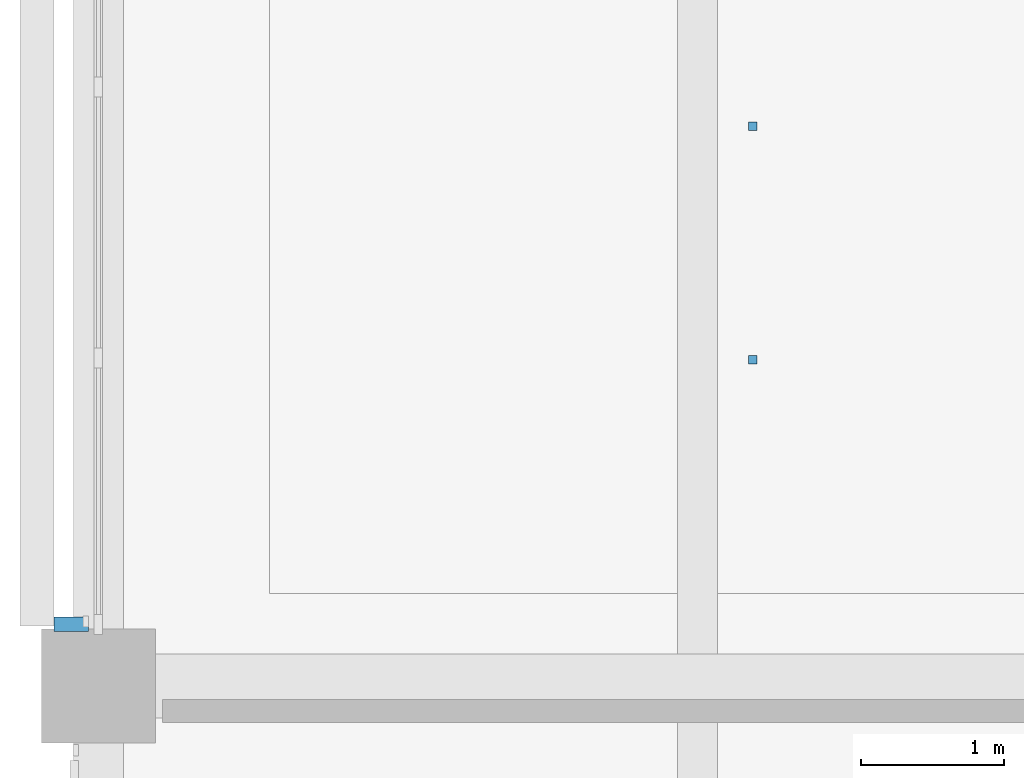
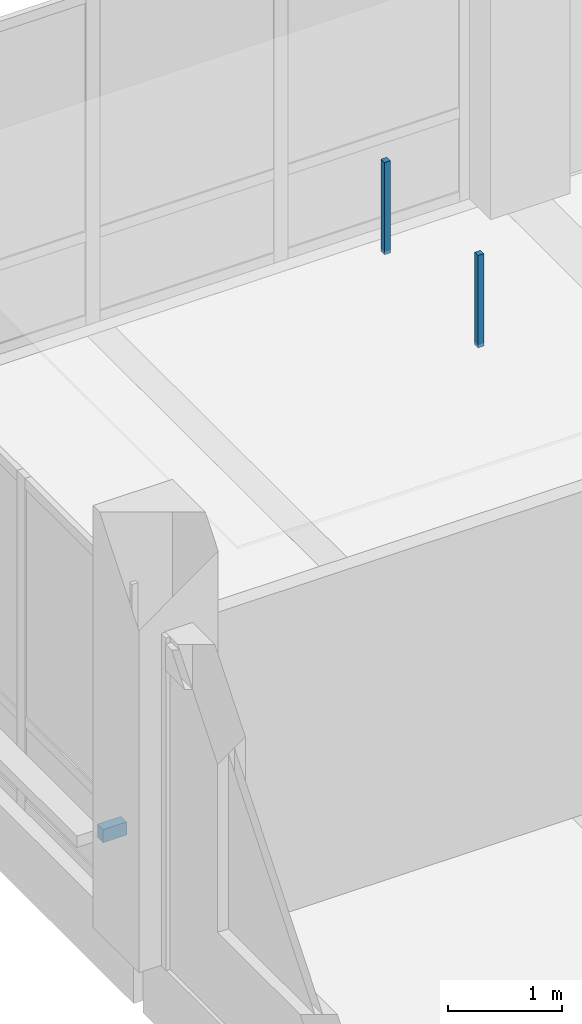
# One storey, part 16 of 36: 3 discrete accessories.
"""IFC4 building model written with IfcOpenShell, lengths in metres."""

from ifc_helpers import new_model, si_unit, direction, frame, origin, origin_2d, place, context, subcontext, project, spatial, rectangle, extrude, material, type_object, element, save


model = new_model("IFC4")

# Units and contexts
model_context = context("Model", 3, precision=1e-05, world=origin(), true_north=direction((0.0, 1.0)))
body_context = subcontext(model_context, "Body", "Model", "MODEL_VIEW")
ifc_project = project(units=[si_unit("LENGTHUNIT", "METRE"), si_unit("AREAUNIT", "SQUARE_METRE"), si_unit("VOLUMEUNIT", "CUBIC_METRE"), si_unit("PLANEANGLEUNIT", "RADIAN"), si_unit("MASSUNIT", "GRAM", prefix="KILO")], contexts=[model_context])

# Site, building, storey
site_placement = place(None, origin())
site = spatial("IfcSite", under=ifc_project, at=site_placement, CompositionType="ELEMENT")
building_placement = place(site_placement, origin())
building = spatial("IfcBuilding", under=site, at=building_placement, Name="Telukmera Botanical Conservatory", CompositionType="ELEMENT")
storey_placement = place(building_placement, frame((0.0, 0.0, 33.0)))
storey = spatial("IfcBuildingStorey", under=building, at=storey_placement, Name="L07", CompositionType="ELEMENT", Elevation=33.0)

# Discrete accessories
ifc_material = material(Name="Steel S355", Category="steel")
discrete_accessory_type_1 = type_object("IfcDiscreteAccessoryType", Name="ACC-CEIL-HGR", PredefinedType="BRACKET", material=ifc_material)
for number, where, z_axis, x_axis, name in (
    (1, (54.988037109375, 36.6875, 3.31982421875), (0.0, 0.0, 1.0), (1.0, 0.0, 0.0), "L07 Suspended Ceiling Hanger Rod 027-1"),
    (2, (54.988037109375, 38.324951171875, 3.31982421875), (0.0, 0.0, 1.0), (1.0, 0.0, 0.0), "L07 Suspended Ceiling Hanger Rod 027-2"),
):
    element("IfcDiscreteAccessory", number, at=place(storey_placement, frame(where, z_axis=z_axis, x_axis=x_axis)), inside=storey, type_object=discrete_accessory_type_1, Name=name, PredefinedType="BRACKET", context=body_context, shape_type="SweptSolid", body=[
        extrude(rectangle(XDim=0.06005859375, YDim=0.06005859375, at=origin_2d()), origin(), (0.0, 0.0, 1.0), 0.985107421875),
    ])
discrete_accessory_type_2 = type_object("IfcDiscreteAccessoryType", Name="Structural Steel Facade Outrigger Fin Bracket", PredefinedType="BRACKET", material=ifc_material)
discrete_accessory_placement = place(storey_placement, frame((50.2099609375, 34.83203125, 0.8798828125), z_axis=(0.0, 0.0, 1.0), x_axis=(0.0, 1.0, 0.0)))
element("IfcDiscreteAccessory", 3, at=discrete_accessory_placement, inside=storey, type_object=discrete_accessory_type_2, Name="Facade Outrigger Bracket V4:L07:W4 A", PredefinedType="BRACKET", context=body_context, shape_type="SweptSolid", body=[
    extrude(rectangle(XDim=0.10009765625, YDim=0.239990234375, at=origin_2d()), origin(), (0.0, 0.0, 1.0), 0.139892578125),
])

save(model, "model.ifc")
